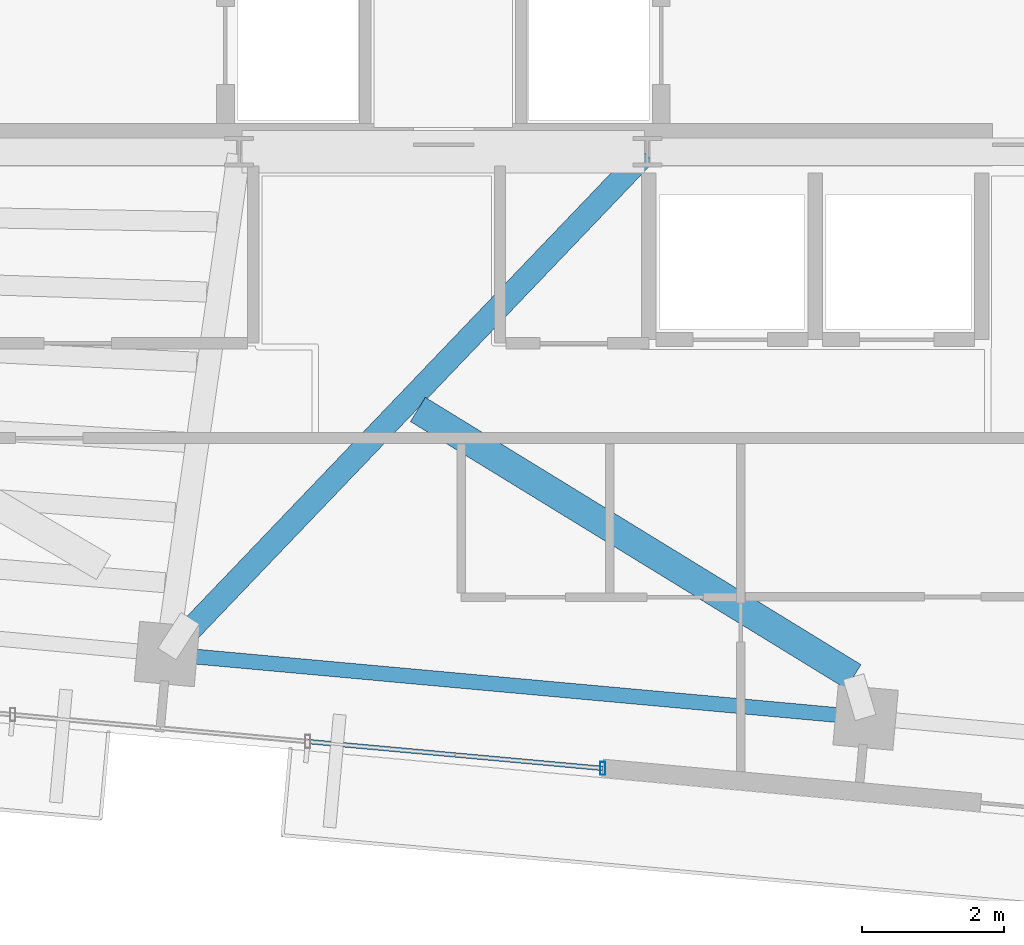
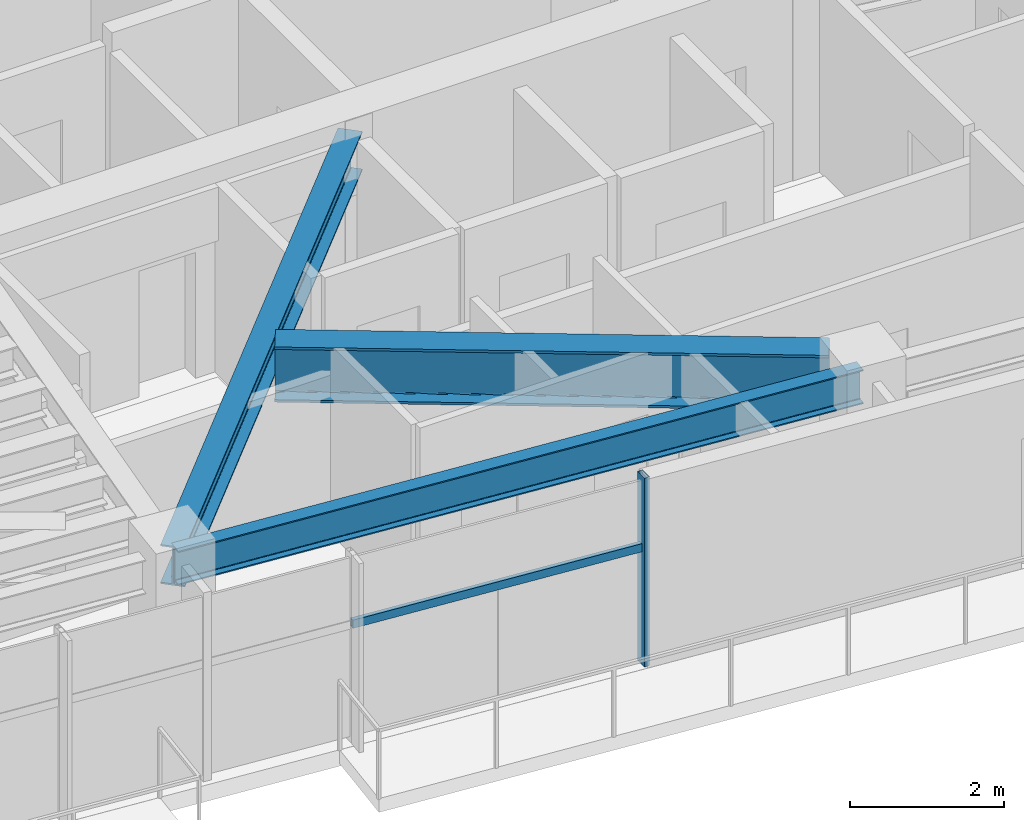
# One storey, part 7 of 22: 3 beams, 2 members, 1 element without a shape of its own.
"""IFC4 building model written with IfcOpenShell, lengths in metres."""

from ifc_helpers import new_model, si_unit, direction, frame, origin, origin_2d, place, context, subcontext, project, spatial, hollow_rectangle, i_section, extrude, source, transform, mapped, material, material_profile, profile_set, type_object, type_shapes, element, aggregate, save


model = new_model("IFC4")

# Units and contexts
model_context = context("Model", 3, precision=1e-05, world=origin(), true_north=direction((0.0, 1.0)))
body_context = subcontext(model_context, "Body", "Model", "MODEL_VIEW")
ifc_project = project(units=[si_unit("LENGTHUNIT", "METRE"), si_unit("AREAUNIT", "SQUARE_METRE"), si_unit("VOLUMEUNIT", "CUBIC_METRE"), si_unit("PLANEANGLEUNIT", "RADIAN"), si_unit("MASSUNIT", "GRAM", prefix="KILO")], contexts=[model_context])

# Site, building, storey
site_placement = place(None, origin())
site = spatial("IfcSite", under=ifc_project, at=site_placement, CompositionType="ELEMENT")
building_placement = place(site_placement, origin())
building = spatial("IfcBuilding", under=site, at=building_placement, Name="Astriad Promenade Condominiums", CompositionType="ELEMENT")
storey_placement = place(building_placement, frame((0.0, 0.0, 256.199951171875)))
storey = spatial("IfcBuildingStorey", under=building, at=storey_placement, Name="L74", CompositionType="ELEMENT", Elevation=256.199951171875)

# Beams
ifc_material_1 = material(Name="Steel ASTM A992 Grade 50", Category="steel")
ifc_material_profile_1 = material_profile(ifc_material_1, i_section(OverallWidth=0.210693359375, OverallDepth=0.53955078125, WebThickness=0.01171875, FlangeThickness=0.018798828125, FilletRadius=0.0166015625, at=origin_2d()), Name="W21X73")
ifc_profile_set_1 = profile_set([ifc_material_profile_1], Name="Steel ASTM A992 Grade 50")
beam_type_1 = type_object("IfcBeamType", Name="STEEL SPANDREL BEAM W21X73", PredefinedType="SPANDREL", material=ifc_profile_set_1)
shared_shape_1 = source(origin(), body_context, "Body", "SweptSolid", [
    extrude(i_section(OverallWidth=0.210693359375, OverallDepth=0.53955078125, WebThickness=0.01171875, FlangeThickness=0.018798828125, FilletRadius=0.0166015625, at=origin_2d()), origin(), (0.0, 0.0, 1.0), 9.820068359375),
])
type_shapes(beam_type_1, [shared_shape_1])
beam_1_placement = place(storey_placement, frame((32.14013671875, 10.30810546875, 2.73046875), z_axis=(0.995885663174, -0.090618683965, 0.0), x_axis=(0.090618683965, 0.995885663174, 0.0)))
element("IfcBeam", 1, at=beam_1_placement, inside=storey, type_object=beam_type_1, Name="Perimeter Spandrel Beam SP-S3-L74", PredefinedType="SPANDREL", context=body_context, shape_type="MappedRepresentation", body=[
    mapped(shared_shape_1, transform((0.0, 0.0, 0.0), scale=1.0)),
])
ifc_material_profile_2 = material_profile(ifc_material_1, i_section(OverallWidth=0.326416015625, OverallDepth=0.621826171875, WebThickness=0.015380859375, FlangeThickness=0.0244140625, FilletRadius=0.017822265625, at=origin_2d()), Name="W24X131")
ifc_profile_set_2 = profile_set([ifc_material_profile_2], Name="Steel ASTM A992 Grade 50")
beam_type_2 = type_object("IfcBeamType", Name="STEEL FLOOR GIRDER W24X131", PredefinedType="BEAM", material=ifc_profile_set_2)
shared_shape_2 = source(origin(), body_context, "Body", "SweptSolid", [
    extrude(i_section(OverallWidth=0.326416015625, OverallDepth=0.621826171875, WebThickness=0.015380859375, FlangeThickness=0.0244140625, FilletRadius=0.017822265625, at=origin_2d()), origin(), (0.0, 0.0, 1.0), 9.728515625),
])
type_shapes(beam_type_2, [shared_shape_2])
beam_2_placement = place(storey_placement, frame((32.1279296875, 10.3408203125, 2.689208984375), z_axis=(0.691209540622, 0.722654392468, 0.0), x_axis=(-0.722654392468, 0.691209540622, 0.0)))
element("IfcBeam", 2, at=beam_2_placement, inside=storey, type_object=beam_type_2, Name="Primary Floor Girder PG-C2-L74", PredefinedType="BEAM", context=body_context, shape_type="MappedRepresentation", body=[
    mapped(shared_shape_2, transform((0.0, 0.0, 0.0), scale=1.0)),
])
ifc_material_profile_3 = material_profile(ifc_material_1, i_section(OverallWidth=0.4013671875, OverallDepth=0.877197265625, WebThickness=0.022216796875, FlangeThickness=0.039794921875, FilletRadius=0.02294921875, at=origin_2d()), Name="W33X263")
ifc_profile_set_3 = profile_set([ifc_material_profile_3], Name="Steel ASTM A992 Grade 50")
beam_type_3 = type_object("IfcBeamType", Name="STEEL TRANSFER CARRIER GIRDER W33X263", PredefinedType="BEAM", material=ifc_profile_set_3)
shared_shape_3 = source(origin(), body_context, "Body", "SweptSolid", [
    extrude(i_section(OverallWidth=0.4013671875, OverallDepth=0.877197265625, WebThickness=0.022216796875, FlangeThickness=0.039794921875, FilletRadius=0.02294921875, at=origin_2d()), origin(), (0.0, 0.0, 1.0), 7.213134765625),
])
type_shapes(beam_type_3, [shared_shape_3])
beam_3_placement = place(storey_placement, frame((35.64111328125, 13.76318359375, 2.5615234375), z_axis=(0.852395417803, -0.522897744983, 0.0), x_axis=(0.522897744983, 0.852395417803, 0.0)))
element("IfcBeam", 3, at=beam_3_placement, inside=storey, type_object=beam_type_3, Name="Transfer Splice Carrier TRM-SP-PC04-L74", PredefinedType="BEAM", context=body_context, shape_type="MappedRepresentation", body=[
    mapped(shared_shape_3, transform((0.0, 0.0, 0.0), scale=1.0)),
])

# Curtain wall, members
ifc_material_2 = material(Name="Anodised aluminium Black Dark Glass Unitised", Category="aluminium")
curtain_wall_type = type_object("IfcCurtainWallType", Name="CW-B5-DARK", PredefinedType="USERDEFINED", material=ifc_material_2)
curtain_wall_placement = place(storey_placement, origin())
curtain_wall = element("IfcCurtainWall", 4, at=curtain_wall_placement, inside=storey, type_object=curtain_wall_type, Name="CW-L74-S", ObjectType="UNITISED_CURTAIN_WALL", PredefinedType="USERDEFINED")
ifc_material_3 = material(Name="Anodised aluminium 6063-T6 Black", Category="aluminium")
ifc_material_profile_4 = material_profile(ifc_material_3, hollow_rectangle(XDim=0.06494140625, YDim=0.1298828125, WallThickness=0.00390625, at=origin_2d()), Name="ALU-TRN-65X130")
ifc_profile_set_4 = profile_set([ifc_material_profile_4], Name="Anodised aluminium 6063-T6 Black")
member_type_1 = type_object("IfcMemberType", Name="TRN-ALU-TRN-65X130", PredefinedType="USERDEFINED", material=ifc_profile_set_4)
shared_shape_4 = source(origin(), body_context, "Body", "SweptSolid", [
    extrude(hollow_rectangle(XDim=0.06494140625, YDim=0.1298828125, WallThickness=0.00390625, at=origin_2d()), origin(), (0.0, 0.0, 1.0), 4.179931640625),
])
type_shapes(member_type_1, [shared_shape_4])
member_1_placement = place(storey_placement, frame((38.24951171875, 8.69775390625, 1.860107421875), z_axis=(-0.995883146811, 0.090646334165, 0.0), x_axis=(-0.090646334165, -0.995883146811, 0.0)))
member_1 = element("IfcMember", 5, at=member_1_placement, type_object=member_type_1, Name="CW-L74-S-TRN-00-0", ObjectType="TRANSOM", PredefinedType="USERDEFINED", context=body_context, shape_type="MappedRepresentation", body=[
    mapped(shared_shape_4, transform((0.0, 0.0, 0.0), scale=1.0)),
])
ifc_material_profile_5 = material_profile(ifc_material_3, hollow_rectangle(XDim=0.074951171875, YDim=0.18505859375, WallThickness=0.00439453125, at=origin_2d()), Name="ALU-MUL-75X185")
ifc_profile_set_5 = profile_set([ifc_material_profile_5], Name="Anodised aluminium 6063-T6 Black")
member_type_2 = type_object("IfcMemberType", Name="MUL-ALU-MUL-75X185", PredefinedType="MULLION", material=ifc_profile_set_5)
shared_shape_5 = source(origin(), body_context, "Body", "SweptSolid", [
    extrude(hollow_rectangle(XDim=0.074951171875, YDim=0.18505859375, WallThickness=0.00439453125, at=origin_2d()), origin(), (0.0, 0.0, 1.0), 3.0),
])
type_shapes(member_type_2, [shared_shape_5])
member_2_placement = place(storey_placement, frame((38.24951171875, 8.69775390625, 0.0), z_axis=(0.0, 0.0, 1.0), x_axis=(1.0, 0.0, 0.0)))
member_2 = element("IfcMember", 6, at=member_2_placement, type_object=member_type_2, Name="CW-L74-S-MUL-00", PredefinedType="MULLION", context=body_context, shape_type="MappedRepresentation", body=[
    mapped(shared_shape_5, transform((0.0, 0.0, 0.0), scale=1.0)),
])
aggregate(curtain_wall, [member_2, member_1])

save(model, "model.ifc")
